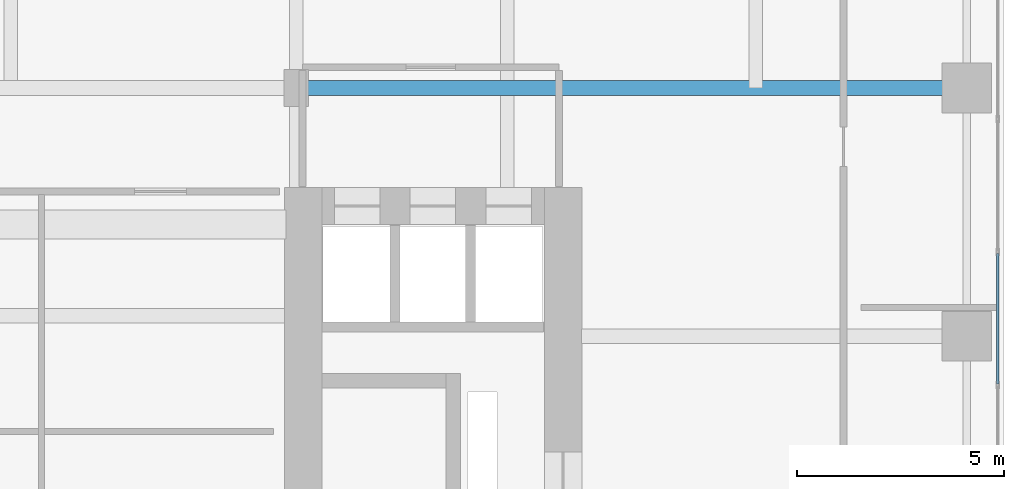
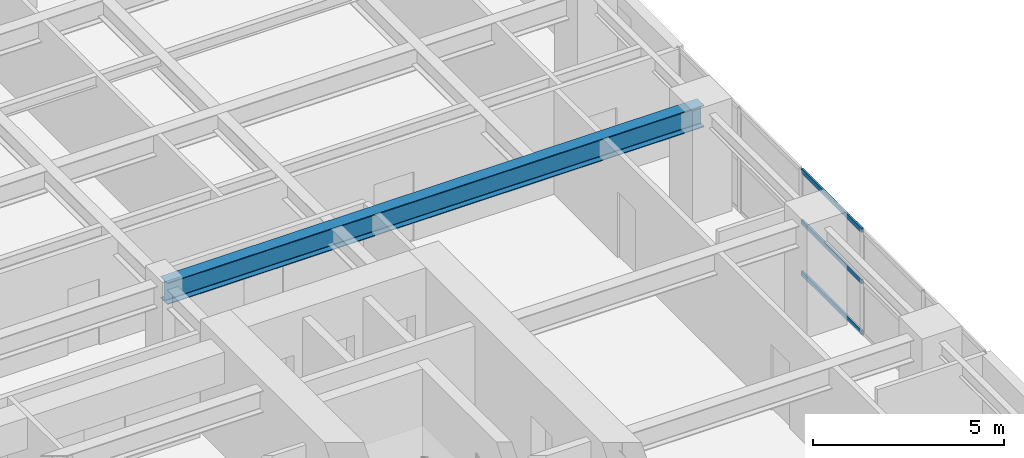
# One storey, part 8 of 24: 3 members, 1 beam, 1 element without a shape of its own.
"""IFC4 building model written with IfcOpenShell, lengths in metres."""

from ifc_helpers import new_model, si_unit, direction, frame, origin, origin_2d, place, context, subcontext, project, spatial, hollow_rectangle, i_section, extrude, source, transform, mapped, material, layer, layer_set, material_profile, profile_set, type_object, element, aggregate, save


model = new_model("IFC4")

# Units and contexts
model_context = context("Model", 3, precision=1e-05, world=origin(), true_north=direction((0.0, 1.0)))
body_context = subcontext(model_context, "Body", "Model", "MODEL_VIEW")
ifc_project = project(units=[si_unit("LENGTHUNIT", "METRE"), si_unit("AREAUNIT", "SQUARE_METRE"), si_unit("VOLUMEUNIT", "CUBIC_METRE"), si_unit("PLANEANGLEUNIT", "RADIAN"), si_unit("MASSUNIT", "GRAM", prefix="KILO")], contexts=[model_context])

# Site, building, storey
site_placement = place(None, origin())
site = spatial("IfcSite", under=ifc_project, at=site_placement, CompositionType="ELEMENT")
building_placement = place(site_placement, origin())
building = spatial("IfcBuilding", under=site, at=building_placement, Name="Khoralis Quay Care Tower", CompositionType="ELEMENT")
storey_placement = place(building_placement, frame((0.0, 0.0, 62.10009765625)))
storey = spatial("IfcBuildingStorey", under=building, at=storey_placement, Name="L16", CompositionType="ELEMENT", Elevation=62.10009765625)

# Beam
ifc_material_1 = material(Name="Steel S355", Category="steel")
ifc_material_profile_1 = material_profile(ifc_material_1, i_section(OverallWidth=0.35498046875, OverallDepth=0.695068359375, WebThickness=0.015380859375, FlangeThickness=0.02490234375, FilletRadius=0.02001953125, at=origin_2d()), Name="Steel S355")
ifc_profile_set_1 = profile_set([ifc_material_profile_1], Name="Steel S355")
beam_type = type_object("IfcBeamType", Name="BM-W690X217", PredefinedType="BEAM", material=ifc_profile_set_1)
shared_shape_1 = source(origin(), body_context, "Body", "SweptSolid", [
    extrude(i_section(OverallWidth=0.35498046875, OverallDepth=0.695068359375, WebThickness=0.015380859375, FlangeThickness=0.02490234375, FilletRadius=0.02001953125, at=origin_2d()), origin(), (0.0, 0.0, 1.0), 16.2001953125),
])
beam_placement = place(storey_placement, frame((30.89990234375, 30.0, 2.972412109375), z_axis=(1.0, 0.0, 0.0), x_axis=(0.0, 1.0, 0.0)))
element("IfcBeam", 1, at=beam_placement, inside=storey, type_object=beam_type, Name="BM-TGXE-L16-300", PredefinedType="BEAM", context=body_context, shape_type="MappedRepresentation", body=[
    mapped(shared_shape_1, transform((0.0, 0.0, 0.0), scale=1.0)),
])

# Curtain wall, members
ifc_material_2 = material(Name="Pale anodised aluminium", Category="aluminium")
ifc_layer = layer(ifc_material_2, 0.179931640625)
ifc_layer_set = layer_set([ifc_layer], Name="Pale anodised aluminium")
curtain_wall_type = type_object("IfcCurtainWallType", Name="CW-SYS-Z1", PredefinedType="NOTDEFINED", material=ifc_layer_set)
curtain_wall_placement = place(storey_placement, origin())
curtain_wall = element("IfcCurtainWall", 2, at=curtain_wall_placement, inside=storey, type_object=curtain_wall_type, Name="L16 Unitised Curtain Wall CW-L16-P1-E5", PredefinedType="NOTDEFINED")
ifc_material_profile_2 = material_profile(ifc_material_2, hollow_rectangle(XDim=0.06005859375, YDim=0.139892578125, WallThickness=0.00390625, at=origin_2d()), Name="Pale anodised aluminium")
ifc_profile_set_2 = profile_set([ifc_material_profile_2], Name="Pale anodised aluminium")
member_type = type_object("IfcMemberType", Name="CW-TRN-140", PredefinedType="USERDEFINED", material=ifc_profile_set_2)
shared_shape_2 = source(origin(), body_context, "Body", "SweptSolid", [
    extrude(hollow_rectangle(XDim=0.06005859375, YDim=0.139892578125, WallThickness=0.00390625, at=origin_2d()), origin(), (0.0, 0.0, 1.0), 3.152099609375),
])
member_1_placement = place(storey_placement, frame((47.85009765625, 22.85400390625, 0.02978515625), z_axis=(0.0, 1.0, 0.0), x_axis=(-1.0, 0.0, 0.0)))
member_1 = element("IfcMember", 3, at=member_1_placement, type_object=member_type, Name="CW1 transom 3.1", ObjectType="TRANSOM", PredefinedType="USERDEFINED", context=body_context, shape_type="MappedRepresentation", body=[
    mapped(shared_shape_2, transform((0.0, 0.0, 0.0), scale=1.0)),
])
member_2_placement = place(storey_placement, frame((47.85009765625, 22.85400390625, 1.659912109375), z_axis=(0.0, 1.0, 0.0), x_axis=(-1.0, 0.0, 0.0)))
member_2 = element("IfcMember", 4, at=member_2_placement, type_object=member_type, Name="CW1 transom 3.2", ObjectType="TRANSOM", PredefinedType="USERDEFINED", context=body_context, shape_type="MappedRepresentation", body=[
    mapped(shared_shape_2, transform((0.0, 0.0, 0.0), scale=1.0)),
])
member_3_placement = place(storey_placement, frame((47.85009765625, 22.85400390625, 3.289794921875), z_axis=(0.0, 1.0, 0.0), x_axis=(-1.0, 0.0, 0.0)))
member_3 = element("IfcMember", 5, at=member_3_placement, type_object=member_type, Name="CW1 transom 3.3", ObjectType="TRANSOM", PredefinedType="USERDEFINED", context=body_context, shape_type="MappedRepresentation", body=[
    mapped(shared_shape_2, transform((0.0, 0.0, 0.0), scale=1.0)),
])
aggregate(curtain_wall, [member_1, member_2, member_3])

save(model, "model.ifc")
